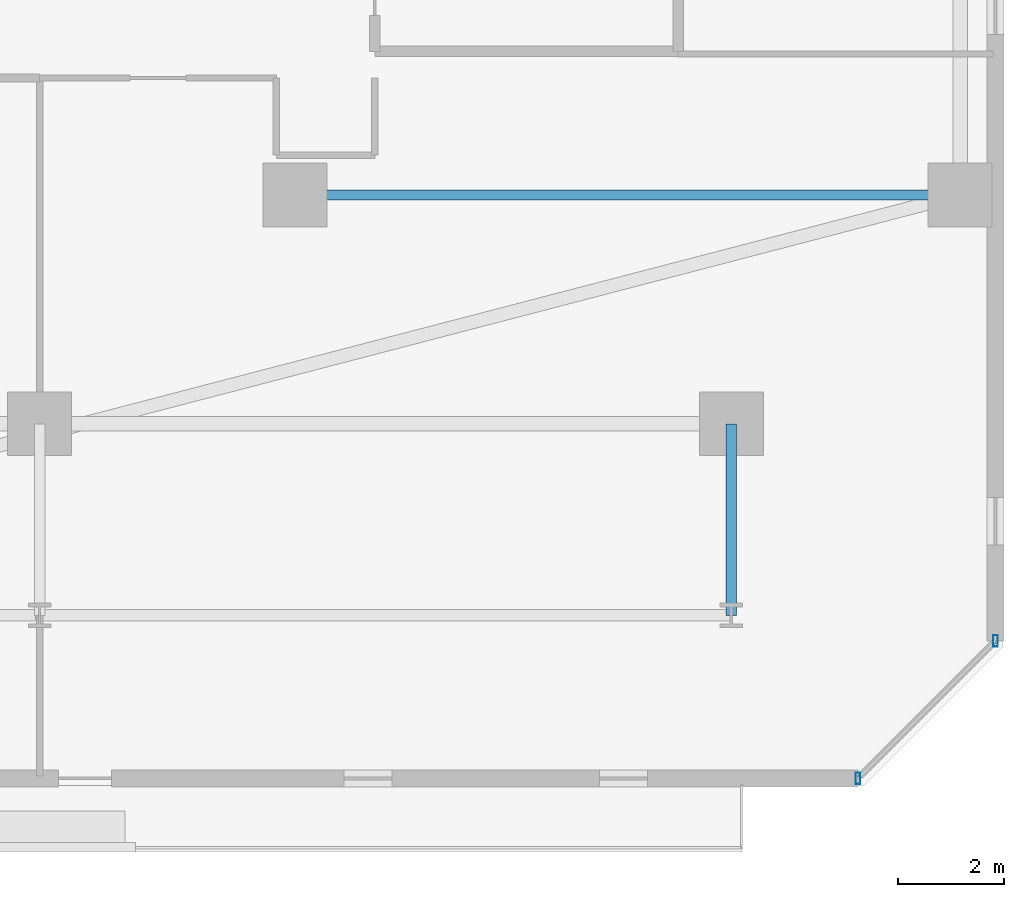
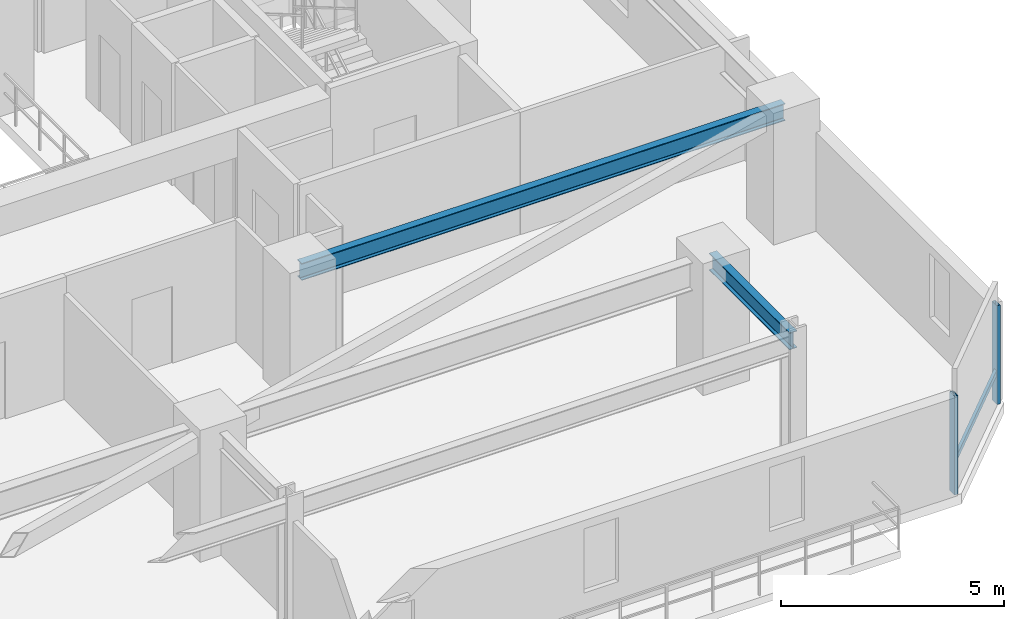
# One storey, part 13 of 33: 3 members, 2 beams, 1 element without a shape of its own.
"""IFC4 building model written with IfcOpenShell, lengths in metres."""

from ifc_helpers import new_model, si_unit, direction, frame, origin, origin_2d, place, context, subcontext, project, spatial, hollow_rectangle, i_section, extrude, material, material_profile, profile_set, type_object, element, aggregate, save


model = new_model("IFC4")

# Units and contexts
model_context = context("Model", 3, precision=1e-05, world=origin(), true_north=direction((0.0, 1.0)))
body_context = subcontext(model_context, "Body", "Model", "MODEL_VIEW")
ifc_project = project(units=[si_unit("LENGTHUNIT", "METRE"), si_unit("AREAUNIT", "SQUARE_METRE"), si_unit("VOLUMEUNIT", "CUBIC_METRE"), si_unit("PLANEANGLEUNIT", "RADIAN"), si_unit("MASSUNIT", "GRAM", prefix="KILO")], contexts=[model_context])

# Site, building, storey
site_placement = place(None, origin())
site = spatial("IfcSite", under=ifc_project, at=site_placement, CompositionType="ELEMENT")
building_placement = place(site_placement, origin())
building = spatial("IfcBuilding", under=site, at=building_placement, Name="Thornwick Lancets Civic Towers", CompositionType="ELEMENT")
storey_placement = place(building_placement, frame((0.0, 0.0, 101.699951171875)))
storey = spatial("IfcBuildingStorey", under=building, at=storey_placement, Name="L26", CompositionType="ELEMENT", Elevation=101.699951171875)

# Beams
ifc_material_1 = material(Name="Steel S355JR", Category="steel")
ifc_material_profile_1 = material_profile(ifc_material_1, i_section(OverallWidth=0.19287109375, OverallDepth=0.46728515625, WebThickness=0.011474609375, FlangeThickness=0.01953125, FilletRadius=0.01025390625, at=origin_2d()), Name="UKB 457x191x98")
ifc_profile_set_1 = profile_set([ifc_material_profile_1], Name="Steel S355JR")
beam_type = type_object("IfcBeamType", Name="BM_JOIST_457_98", PredefinedType="JOIST", material=ifc_profile_set_1)
beam_1_placement = place(storey_placement, frame((93.300048828125, 14.0, 3.12646484375), z_axis=(1.0, 0.0, 0.0), x_axis=(0.0, 1.0, 0.0)))
element("IfcBeam", 1, at=beam_1_placement, inside=storey, type_object=beam_type, Name="BM-RADIN-L26-B01", PredefinedType="JOIST", context=body_context, shape_type="SweptSolid", body=[
    extrude(i_section(OverallWidth=0.19287109375, OverallDepth=0.46728515625, WebThickness=0.011474609375, FlangeThickness=0.01953125, FilletRadius=0.01025390625, at=origin_2d()), origin(), (0.0, 0.0, 1.0), 12.5),
])
beam_2_placement = place(storey_placement, frame((101.5, 9.699951171875, 3.12646484375), z_axis=(0.0, -1.0, 0.0), x_axis=(1.0, 0.0, 0.0)))
element("IfcBeam", 2, at=beam_2_placement, inside=storey, type_object=beam_type, Name="BM-RAD-L26-B10", PredefinedType="JOIST", context=body_context, shape_type="SweptSolid", body=[
    extrude(i_section(OverallWidth=0.19287109375, OverallDepth=0.46728515625, WebThickness=0.011474609375, FlangeThickness=0.01953125, FilletRadius=0.01025390625, at=origin_2d()), origin(), (0.0, 0.0, 1.0), 3.599853515625),
])

# Curtain wall, members
ifc_material_2 = material(Name="Low-zone chamfered-corner unitised glass curtain wall", Category="glass")
curtain_wall_type = type_object("IfcCurtainWallType", Name="CW_SYS_03", PredefinedType="NOTDEFINED", material=ifc_material_2)
curtain_wall_placement = place(storey_placement, origin())
curtain_wall = element("IfcCurtainWall", 3, at=curtain_wall_placement, inside=storey, type_object=curtain_wall_type, Name="L26 Curtain Wall CW-L26-B-E1", PredefinedType="NOTDEFINED")
ifc_material_3 = material(Name="Thermally broken bronze aluminium S355", Category="steel")
ifc_material_profile_2 = material_profile(ifc_material_3, hollow_rectangle(XDim=0.090087890625, YDim=0.219970703125, WallThickness=0.00634765625, at=origin_2d()), Name="RHS 220x90x6.3")
ifc_profile_set_2 = profile_set([ifc_material_profile_2], Name="Thermally broken bronze aluminium S355")
member_type_1 = type_object("IfcMemberType", Name="CW_MUL_220", PredefinedType="MULLION", material=ifc_profile_set_2)
member_1_placement = place(storey_placement, frame((103.88134765625, 3.035400390625, 0.0), z_axis=(0.0, 0.0, 1.0), x_axis=(1.0, 0.0, 0.0)))
member_1 = element("IfcMember", 4, at=member_1_placement, type_object=member_type_1, Name="CW-L26-B-E1 Mullion 0", PredefinedType="MULLION", context=body_context, shape_type="SweptSolid", body=[
    extrude(hollow_rectangle(XDim=0.090087890625, YDim=0.219970703125, WallThickness=0.00634765625, at=origin_2d()), origin(), (0.0, 0.0, 1.0), 2.699951171875),
])
member_2_placement = place(storey_placement, frame((106.464599609375, 5.61865234375, 0.0), z_axis=(0.0, 0.0, 1.0), x_axis=(1.0, 0.0, 0.0)))
member_2 = element("IfcMember", 5, at=member_2_placement, type_object=member_type_1, Name="CW-L26-B-E1 Mullion 1", PredefinedType="MULLION", context=body_context, shape_type="SweptSolid", body=[
    extrude(hollow_rectangle(XDim=0.090087890625, YDim=0.219970703125, WallThickness=0.00634765625, at=origin_2d()), origin(), (0.0, 0.0, 1.0), 2.699951171875),
])
ifc_material_profile_3 = material_profile(ifc_material_3, hollow_rectangle(XDim=0.074951171875, YDim=0.14990234375, WallThickness=0.0048828125, at=origin_2d()), Name="RHS 150x75x5")
ifc_profile_set_3 = profile_set([ifc_material_profile_3], Name="Thermally broken bronze aluminium S355")
member_type_2 = type_object("IfcMemberType", Name="CW_TRN_150", PredefinedType="USERDEFINED", material=ifc_profile_set_3)
member_3_placement = place(storey_placement, frame((103.8955078125, 3.04931640625, 0.85009765625), z_axis=(0.707106781187, 0.707106781187, 0.0), x_axis=(-0.707106781187, 0.707106781187, 0.0)))
member_3 = element("IfcMember", 6, at=member_3_placement, type_object=member_type_2, Name="CW-L26-B-E1 Transom 0", ObjectType="TRANSOM", PredefinedType="USERDEFINED", context=body_context, shape_type="SweptSolid", body=[
    extrude(hollow_rectangle(XDim=0.074951171875, YDim=0.14990234375, WallThickness=0.0048828125, at=origin_2d()), origin(), (0.0, 0.0, 1.0), 3.613525390625),
])
aggregate(curtain_wall, [member_1, member_2, member_3])

save(model, "model.ifc")
